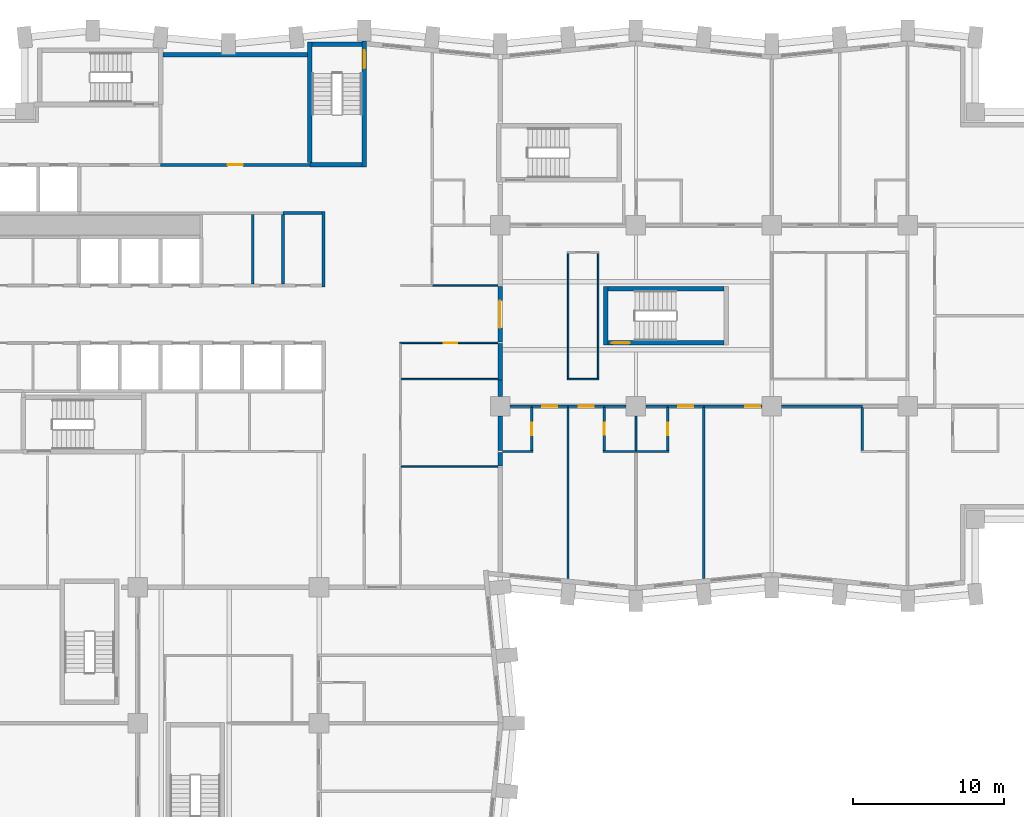
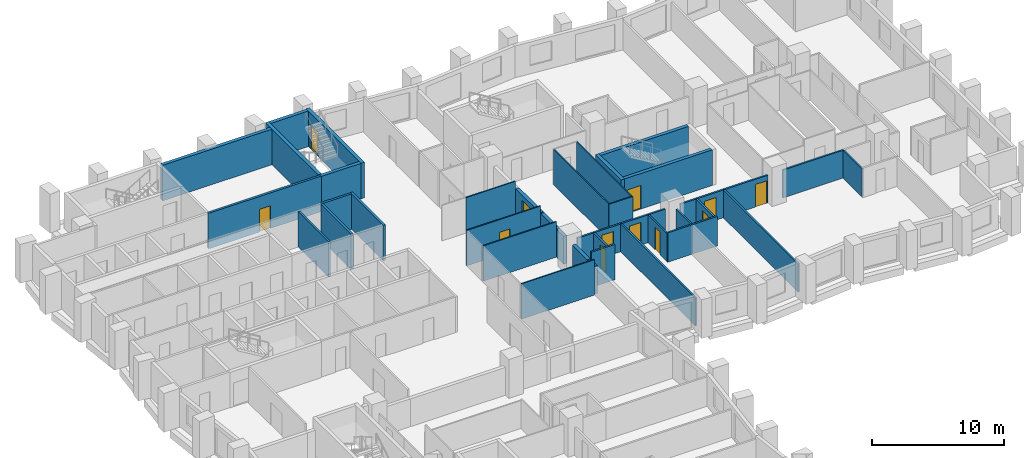
# One storey, part 7 of 12: 43 walls, 12 doors, 12 openings.
"""IFC4 building model written with IfcOpenShell, lengths in metres."""

from ifc_helpers import new_model, si_unit, direction, frame, frame_2d, origin, place, context, subcontext, project, spatial, rectangle, extrude, material, layer, layer_set, type_object, element, fill, save


model = new_model("IFC4")

# Units and contexts
model_context = context("Model", 3, precision=1e-05, world=origin(), true_north=direction((0.0, 1.0)))
body_context = subcontext(model_context, "Body", "Model", "MODEL_VIEW")
ifc_project = project(units=[si_unit("LENGTHUNIT", "METRE"), si_unit("AREAUNIT", "SQUARE_METRE"), si_unit("VOLUMEUNIT", "CUBIC_METRE"), si_unit("PLANEANGLEUNIT", "RADIAN"), si_unit("MASSUNIT", "GRAM", prefix="KILO")], contexts=[model_context])

# Site, building, storey
site_placement = place(None, origin())
site = spatial("IfcSite", under=ifc_project, at=site_placement, CompositionType="ELEMENT")
building_placement = place(site_placement, origin())
building = spatial("IfcBuilding", under=site, at=building_placement, Name="Brondeck Convention Tower", CompositionType="ELEMENT")
storey_placement = place(building_placement, frame((0.0, 0.0, 77.10009765625)))
storey = spatial("IfcBuildingStorey", under=building, at=storey_placement, Name="L17", CompositionType="ELEMENT", Elevation=77.10009765625)

# Walls
ifc_material_1 = material(Name="Concrete compartment wall C30/37", Category="concrete")
ifc_layer_1 = layer(ifc_material_1, 0.300048828125)
ifc_layer_set_1 = layer_set([ifc_layer_1], Name="Compartment wall 300")
wall_type_1 = type_object("IfcWallType", Name="Compartment wall 300", PredefinedType="PARTITIONING", material=ifc_layer_set_1)
wall_1_placement = place(storey_placement, frame((36.0, 35.925048828125, 0.0), z_axis=(0.0, 0.0, 1.0), x_axis=(0.0, -1.0, 0.0)))
element("IfcWall", 1, at=wall_1_placement, inside=storey, type_object=wall_type_1, Name="FLR-L17-W048", PredefinedType="PARTITIONING", context=body_context, shape_type="SweptSolid", body=[
    extrude(rectangle(XDim=0.875, YDim=0.300048828125, at=frame_2d((0.4375, 0.0))), origin(), (0.0, 0.0, 1.0), 2.579833984375),
])
wall_2_placement = place(storey_placement, frame((36.0, 38.344970703125, 0.0), z_axis=(0.0, 0.0, 1.0), x_axis=(0.0, -1.0, 0.0)))
element("IfcWall", 2, at=wall_2_placement, inside=storey, type_object=wall_type_1, Name="FLR-L17-W059", PredefinedType="PARTITIONING", context=body_context, shape_type="SweptSolid", body=[
    extrude(rectangle(XDim=2.27001953125, YDim=0.300048828125, at=frame_2d((1.135009765625, 0.0))), origin(), (0.0, 0.0, 1.0), 2.579833984375),
])
wall_3_placement = place(storey_placement, frame((36.0, 40.75, 0.0), z_axis=(0.0, 0.0, 1.0), x_axis=(0.0, -1.0, 0.0)))
element("IfcWall", 3, at=wall_3_placement, inside=storey, type_object=wall_type_1, Name="FLR-L17-W079", PredefinedType="PARTITIONING", context=body_context, shape_type="SweptSolid", body=[
    extrude(rectangle(XDim=1.094970703125, YDim=0.300048828125, at=frame_2d((0.54736328125, 0.0))), origin(), (0.0, 0.0, 1.0), 2.579833984375),
])
wall_4_placement = place(storey_placement, frame((36.0, 43.14990234375, 0.0), z_axis=(0.0, 0.0, 1.0), x_axis=(0.0, -1.0, 0.0)))
element("IfcWall", 4, at=wall_4_placement, inside=storey, type_object=wall_type_1, Name="FLR-L17-W087", PredefinedType="PARTITIONING", context=body_context, shape_type="SweptSolid", body=[
    extrude(rectangle(XDim=2.39501953125, YDim=0.300048828125, at=frame_2d((1.197509765625, 0.0))), origin(), (0.0, 0.0, 1.0), 2.579833984375),
])

# Wall, opening, door
wall_5_placement = place(storey_placement, frame((36.0, 46.949951171875, 0.0), z_axis=(0.0, 0.0, 1.0), x_axis=(0.0, -1.0, 0.0)))
wall_5 = element("IfcWall", 5, at=wall_5_placement, inside=storey, type_object=wall_type_1, Name="FLR-L17-W091", PredefinedType="PARTITIONING", context=body_context, shape_type="SweptSolid", body=[
    extrude(rectangle(XDim=3.699951171875, YDim=0.300048828125, at=frame_2d((1.85009765625, 0.0))), origin(), (0.0, 0.0, 1.0), 2.579833984375),
])
opening_1_placement = place(wall_5_placement, frame((0.949951171875, 0.0, 0.0)))
opening_1 = element("IfcOpeningElement", 6, at=opening_1_placement, cuts=wall_5, Name="Opening H5-042", PredefinedType="OPENING", context=body_context, shape_type="SweptSolid", body=[
    extrude(rectangle(XDim=1.800048828125, YDim=2.10009765625, at=frame_2d((0.89990234375, 1.050048828125))), frame((0.0, 0.159912109375, 0.0), z_axis=(0.0, -1.0, 0.0), x_axis=(1.0, 0.0, 0.0)), (0.0, 0.0, 1.0), 0.320068359375),
])
ifc_material_2 = material(Name="Steel fire door pair", Category="steel")
door_type_1 = type_object("IfcDoorType", Name="Fire door pair 1800", OperationType="DOUBLE_DOOR_SINGLE_SWING", PredefinedType="DOOR", material=ifc_material_2)
door_1_placement = place(opening_1_placement, origin())
door_1 = element("IfcDoor", 7, at=door_1_placement, inside=storey, type_object=door_type_1, Name="Door H5-042", OperationType="DOUBLE_DOOR_SINGLE_SWING", OverallHeight=2.10009765625, OverallWidth=1.800048828125, PredefinedType="DOOR", context=body_context, shape_type="SweptSolid", body=[
    extrude(rectangle(XDim=1.800048828125, YDim=2.10009765625, at=frame_2d((0.89990234375, 1.050048828125))), frame((0.0, 0.02490234375, 0.0), z_axis=(0.0, -1.0, 0.0), x_axis=(1.0, 0.0, 0.0)), (0.0, 0.0, 1.0), 0.050048828125),
])
fill(opening_1, door_1)

# Walls
ifc_material_3 = material(Name="Concrete C80/95", Category="concrete")
ifc_layer_2 = layer(ifc_material_3, 0.199951171875)
ifc_layer_set_2 = layer_set([ifc_layer_2], Name="Core beam-seat wall 200 Concrete C80/95")
wall_type_2 = type_object("IfcWallType", Name="Core beam-seat wall 200 Concrete C80/95", PredefinedType="SHEAR", material=ifc_layer_set_2)
wall_6_placement = place(storey_placement, frame((24.300048828125, 46.89990234375, 0.0), z_axis=(0.0, 0.0, 1.0), x_axis=(0.0, 1.0, 0.0)))
element("IfcWall", 8, at=wall_6_placement, inside=storey, type_object=wall_type_2, Name="L17 core wall", PredefinedType="SHEAR", context=body_context, shape_type="SweptSolid", body=[
    extrude(rectangle(XDim=5.0, YDim=0.199951171875, at=frame_2d((2.5, 0.0))), origin(), (0.0, 0.0, 1.0), 3.2998046875),
])
ifc_layer_3 = layer(ifc_material_3, 0.300048828125)
ifc_layer_set_3 = layer_set([ifc_layer_3], Name="Core outer wall 300 Concrete C80/95")
wall_type_3 = type_object("IfcWallType", Name="Core outer wall 300 Concrete C80/95", PredefinedType="SHEAR", material=ifc_layer_set_3)
wall_7_placement = place(storey_placement, frame((13.64990234375, 62.300048828125, 0.0), z_axis=(0.0, 0.0, 1.0), x_axis=(1.0, 0.0, 0.0)))
element("IfcWall", 9, at=wall_7_placement, inside=storey, type_object=wall_type_3, Name="L17 core wall", PredefinedType="SHEAR", context=body_context, shape_type="SweptSolid", body=[
    extrude(rectangle(XDim=9.60009765625, YDim=0.300048828125, at=frame_2d((4.800048828125, 0.0))), origin(), (0.0, 0.0, 1.0), 3.2998046875),
])
ifc_material_4 = material(Name="Fire-rated gypsum board partition")
ifc_layer_4 = layer(ifc_material_4, 0.14990234375)
ifc_layer_set_4 = layer_set([ifc_layer_4], Name="Core partition 150 EI 60")
wall_type_4 = type_object("IfcWallType", Name="Core partition 150 EI 60", PredefinedType="PARTITIONING", material=ifc_layer_set_4)
wall_8_placement = place(storey_placement, frame((19.60009765625, 47.10009765625, 0.0), z_axis=(0.0, 0.0, 1.0), x_axis=(0.0, 1.0, 0.0)))
element("IfcWall", 10, at=wall_8_placement, inside=storey, type_object=wall_type_4, Name="L17 core wall", PredefinedType="PARTITIONING", context=body_context, shape_type="SweptSolid", body=[
    extrude(rectangle(XDim=4.625, YDim=0.14990234375, at=frame_2d((2.3125, 0.0))), origin(), (0.0, 0.0, 1.0), 3.2998046875),
])
ifc_material_5 = material(Name="Double gypsum board acoustic wall")
ifc_layer_5 = layer(ifc_material_5, 0.14990234375)
ifc_layer_set_5 = layer_set([ifc_layer_5], Name="Guest room party wall 150")
wall_type_5 = type_object("IfcWallType", Name="Guest room party wall 150", PredefinedType="PARTITIONING", material=ifc_layer_set_5)
wall_9_placement = place(storey_placement, frame((36.14990234375, 36.0, 0.0), z_axis=(0.0, 0.0, 1.0), x_axis=(1.0, 0.0, 0.0)))
element("IfcWall", 11, at=wall_9_placement, inside=storey, type_object=wall_type_5, Name="FLR-L17-W051", PredefinedType="PARTITIONING", context=body_context, shape_type="SweptSolid", body=[
    extrude(rectangle(XDim=2.025146484375, YDim=0.14990234375, at=frame_2d((1.0126953125, 0.0))), origin(), (0.0, 0.0, 1.0), 3.27978515625),
])
for number, where, z_axis, x_axis, name in (
    (12, (42.824951171875, 36.0, 0.0), (0.0, 0.0, 1.0), (1.0, 0.0, 0.0), "FLR-L17-W052"),
    (13, (45.0, 36.0, 0.0), (0.0, 0.0, 1.0), (1.0, 0.0, 0.0), "FLR-L17-W053"),
):
    element("IfcWall", number, at=place(storey_placement, frame(where, z_axis=z_axis, x_axis=x_axis)), inside=storey, type_object=wall_type_5, Name=name, PredefinedType="PARTITIONING", context=body_context, shape_type="SweptSolid", body=[
        extrude(rectangle(XDim=2.175048828125, YDim=0.14990234375, at=frame_2d((1.08740234375, 0.0))), origin(), (0.0, 0.0, 1.0), 2.72998046875),
    ])

# Wall, opening, door
wall_10_placement = place(storey_placement, frame((38.10009765625, 36.074951171875, 0.0), z_axis=(0.0, 0.0, 1.0), x_axis=(0.0, 1.0, 0.0)))
wall_10 = element("IfcWall", 14, at=wall_10_placement, inside=storey, type_object=wall_type_5, Name="FLR-L17-W056", PredefinedType="PARTITIONING", context=body_context, shape_type="SweptSolid", body=[
    extrude(rectangle(XDim=2.85009765625, YDim=0.14990234375, at=frame_2d((1.425048828125, 0.0))), origin(), (0.0, 0.0, 1.0), 2.579833984375),
])
opening_2_placement = place(wall_10_placement, frame((1.02490234375, 0.0, 0.0)))
opening_2 = element("IfcOpeningElement", 15, at=opening_2_placement, cuts=wall_10, Name="Opening H5-008", PredefinedType="OPENING", context=body_context, shape_type="SweptSolid", body=[
    extrude(rectangle(XDim=0.800048828125, YDim=2.10009765625, at=frame_2d((0.39990234375, 1.050048828125))), frame((0.0, 0.0849609375, 0.0), z_axis=(0.0, -1.0, 0.0), x_axis=(1.0, 0.0, 0.0)), (0.0, 0.0, 1.0), 0.169921875),
])
ifc_material_6 = material(Name="Solid timber door leaf", Category="wood")
door_type_2 = type_object("IfcDoorType", Name="En-suite door 800", OperationType="NOTDEFINED", PredefinedType="DOOR", material=ifc_material_6)
door_2_placement = place(opening_2_placement, origin())
door_2 = element("IfcDoor", 16, at=door_2_placement, inside=storey, type_object=door_type_2, Name="Door H5-008", OperationType="SINGLE_SWING_LEFT", OverallHeight=2.10009765625, OverallWidth=0.800048828125, PredefinedType="DOOR", context=body_context, shape_type="SweptSolid", body=[
    extrude(rectangle(XDim=0.800048828125, YDim=2.10009765625, at=frame_2d((0.39990234375, 1.050048828125))), frame((0.0, 0.02490234375, 0.0), z_axis=(0.0, -1.0, 0.0), x_axis=(1.0, 0.0, 0.0)), (0.0, 0.0, 1.0), 0.050048828125),
])
fill(opening_2, door_2)

wall_11_placement = place(storey_placement, frame((47.10009765625, 36.074951171875, 0.0), z_axis=(0.0, 0.0, 1.0), x_axis=(0.0, 1.0, 0.0)))
wall_11 = element("IfcWall", 17, at=wall_11_placement, inside=storey, type_object=wall_type_5, Name="FLR-L17-W057", PredefinedType="PARTITIONING", context=body_context, shape_type="SweptSolid", body=[
    extrude(rectangle(XDim=2.85009765625, YDim=0.14990234375, at=frame_2d((1.425048828125, 0.0))), origin(), (0.0, 0.0, 1.0), 2.579833984375),
])
opening_3_placement = place(wall_11_placement, frame((1.02490234375, 0.0, 0.0)))
opening_3 = element("IfcOpeningElement", 18, at=opening_3_placement, cuts=wall_11, Name="Opening H5-012", PredefinedType="OPENING", context=body_context, shape_type="SweptSolid", body=[
    extrude(rectangle(XDim=0.800048828125, YDim=2.10009765625, at=frame_2d((0.39990234375, 1.050048828125))), frame((0.0, 0.0849609375, 0.0), z_axis=(0.0, -1.0, 0.0), x_axis=(1.0, 0.0, 0.0)), (0.0, 0.0, 1.0), 0.169921875),
])
door_3_placement = place(opening_3_placement, origin())
door_3 = element("IfcDoor", 19, at=door_3_placement, inside=storey, type_object=door_type_2, Name="Door H5-012", OperationType="SINGLE_SWING_LEFT", OverallHeight=2.10009765625, OverallWidth=0.800048828125, PredefinedType="DOOR", context=body_context, shape_type="SweptSolid", body=[
    extrude(rectangle(XDim=0.800048828125, YDim=2.10009765625, at=frame_2d((0.39990234375, 1.050048828125))), frame((0.0, 0.02490234375, 0.0), z_axis=(0.0, -1.0, 0.0), x_axis=(1.0, 0.0, 0.0)), (0.0, 0.0, 1.0), 0.050048828125),
])
fill(opening_3, door_3)

# Walls
wall_12_placement = place(storey_placement, frame((45.0, 38.344970703125, 0.0), z_axis=(0.0, 0.0, 1.0), x_axis=(0.0, -1.0, 0.0)))
element("IfcWall", 20, at=wall_12_placement, inside=storey, type_object=wall_type_5, Name="FLR-L17-W060", PredefinedType="PARTITIONING", context=body_context, shape_type="SweptSolid", body=[
    extrude(rectangle(XDim=2.27001953125, YDim=0.14990234375, at=frame_2d((1.135009765625, 0.0))), origin(), (0.0, 0.0, 1.0), 2.72998046875),
])
wall_13_placement = place(storey_placement, frame((40.5, 38.925048828125, 0.0), z_axis=(0.0, 0.0, 1.0), x_axis=(0.0, -1.0, 0.0)))
element("IfcWall", 21, at=wall_13_placement, inside=storey, type_object=wall_type_5, Name="FLR-L17-W062", PredefinedType="PARTITIONING", context=body_context, shape_type="SweptSolid", body=[
    extrude(rectangle(XDim=11.35009765625, YDim=0.14990234375, at=frame_2d((5.675048828125, 0.0))), origin(), (0.0, 0.0, 1.0), 2.579833984375),
])

# Wall, opening, door
wall_14_placement = place(storey_placement, frame((42.89990234375, 38.925048828125, 0.0), z_axis=(0.0, 0.0, 1.0), x_axis=(0.0, -1.0, 0.0)))
wall_14 = element("IfcWall", 22, at=wall_14_placement, inside=storey, type_object=wall_type_5, Name="FLR-L17-W063", PredefinedType="PARTITIONING", context=body_context, shape_type="SweptSolid", body=[
    extrude(rectangle(XDim=2.85009765625, YDim=0.14990234375, at=frame_2d((1.425048828125, 0.0))), origin(), (0.0, 0.0, 1.0), 2.579833984375),
])
opening_4_placement = place(wall_14_placement, frame((1.02490234375, 0.0, 0.0)))
opening_4 = element("IfcOpeningElement", 23, at=opening_4_placement, cuts=wall_14, Name="Opening H5-010", PredefinedType="OPENING", context=body_context, shape_type="SweptSolid", body=[
    extrude(rectangle(XDim=0.800048828125, YDim=2.10009765625, at=frame_2d((0.39990234375, 1.050048828125))), frame((0.0, 0.0849609375, 0.0), z_axis=(0.0, -1.0, 0.0), x_axis=(1.0, 0.0, 0.0)), (0.0, 0.0, 1.0), 0.169921875),
])
door_4_placement = place(opening_4_placement, origin())
door_4 = element("IfcDoor", 24, at=door_4_placement, inside=storey, type_object=door_type_2, Name="Door H5-010", OperationType="SINGLE_SWING_LEFT", OverallHeight=2.10009765625, OverallWidth=0.800048828125, PredefinedType="DOOR", context=body_context, shape_type="SweptSolid", body=[
    extrude(rectangle(XDim=0.800048828125, YDim=2.10009765625, at=frame_2d((0.39990234375, 1.050048828125))), frame((0.0, 0.02490234375, 0.0), z_axis=(0.0, -1.0, 0.0), x_axis=(1.0, 0.0, 0.0)), (0.0, 0.0, 1.0), 0.050048828125),
])
fill(opening_4, door_4)

# Walls
wall_15_placement = place(storey_placement, frame((49.5, 38.925048828125, 0.0), z_axis=(0.0, 0.0, 1.0), x_axis=(0.0, -1.0, 0.0)))
element("IfcWall", 25, at=wall_15_placement, inside=storey, type_object=wall_type_5, Name="FLR-L17-W064", PredefinedType="PARTITIONING", context=body_context, shape_type="SweptSolid", body=[
    extrude(rectangle(XDim=11.35009765625, YDim=0.14990234375, at=frame_2d((5.675048828125, 0.0))), origin(), (0.0, 0.0, 1.0), 2.579833984375),
])
wall_16_placement = place(storey_placement, frame((60.0, 38.925048828125, 0.0), z_axis=(0.0, 0.0, 1.0), x_axis=(0.0, -1.0, 0.0)))
element("IfcWall", 26, at=wall_16_placement, inside=storey, type_object=wall_type_5, Name="FLR-L17-W065", PredefinedType="PARTITIONING", context=body_context, shape_type="SweptSolid", body=[
    extrude(rectangle(XDim=2.85009765625, YDim=0.14990234375, at=frame_2d((1.425048828125, 0.0))), origin(), (0.0, 0.0, 1.0), 2.579833984375),
])
wall_17_placement = place(storey_placement, frame((38.10009765625, 39.0, 0.0), z_axis=(0.0, 0.0, 1.0), x_axis=(-1.0, 0.0, 0.0)))
element("IfcWall", 27, at=wall_17_placement, inside=storey, type_object=wall_type_5, Name="FLR-L17-W067", PredefinedType="PARTITIONING", context=body_context, shape_type="SweptSolid", body=[
    extrude(rectangle(XDim=1.445068359375, YDim=0.14990234375, at=frame_2d((0.72265625, 0.0))), origin(), (0.0, 0.0, 1.0), 2.579833984375),
])

# Wall, opening, door
wall_18_placement = place(storey_placement, frame((40.5, 39.0, 0.0), z_axis=(0.0, 0.0, 1.0), x_axis=(-1.0, 0.0, 0.0)))
wall_18 = element("IfcWall", 28, at=wall_18_placement, inside=storey, type_object=wall_type_5, Name="FLR-L17-W068", PredefinedType="PARTITIONING", context=body_context, shape_type="SweptSolid", body=[
    extrude(rectangle(XDim=2.39990234375, YDim=0.14990234375, at=frame_2d((1.199951171875, 0.0))), origin(), (0.0, 0.0, 1.0), 2.579833984375),
])
opening_5_placement = place(wall_18_placement, frame((0.699951171875, 0.0, 0.0)))
opening_5 = element("IfcOpeningElement", 29, at=opening_5_placement, cuts=wall_18, Name="Opening H5-007", PredefinedType="OPENING", context=body_context, shape_type="SweptSolid", body=[
    extrude(rectangle(XDim=1.0, YDim=2.10009765625, at=frame_2d((0.5, 1.050048828125))), frame((0.0, 0.0849609375, 0.0), z_axis=(0.0, -1.0, 0.0), x_axis=(1.0, 0.0, 0.0)), (0.0, 0.0, 1.0), 0.169921875),
])
ifc_material_7 = material(Name="Solid timber fire door leaf", Category="wood")
door_type_3 = type_object("IfcDoorType", Name="Guest room door 1000", OperationType="NOTDEFINED", PredefinedType="DOOR", material=ifc_material_7)
door_5_placement = place(opening_5_placement, origin())
door_5 = element("IfcDoor", 30, at=door_5_placement, inside=storey, type_object=door_type_3, Name="Door H5-007", OperationType="SINGLE_SWING_LEFT", OverallHeight=2.10009765625, OverallWidth=1.0, PredefinedType="DOOR", context=body_context, shape_type="SweptSolid", body=[
    extrude(rectangle(XDim=1.0, YDim=2.10009765625, at=frame_2d((0.5, 1.050048828125))), frame((0.0, 0.02490234375, 0.0), z_axis=(0.0, -1.0, 0.0), x_axis=(1.0, 0.0, 0.0)), (0.0, 0.0, 1.0), 0.050048828125),
])
fill(opening_5, door_5)

wall_19_placement = place(storey_placement, frame((42.89990234375, 39.0, 0.0), z_axis=(0.0, 0.0, 1.0), x_axis=(-1.0, 0.0, 0.0)))
wall_19 = element("IfcWall", 31, at=wall_19_placement, inside=storey, type_object=wall_type_5, Name="FLR-L17-W069", PredefinedType="PARTITIONING", context=body_context, shape_type="SweptSolid", body=[
    extrude(rectangle(XDim=2.39990234375, YDim=0.14990234375, at=frame_2d((1.199951171875, 0.0))), origin(), (0.0, 0.0, 1.0), 2.579833984375),
])
opening_6_placement = place(wall_19_placement, frame((0.699951171875, 0.0, 0.0)))
opening_6 = element("IfcOpeningElement", 32, at=opening_6_placement, cuts=wall_19, Name="Opening H5-009", PredefinedType="OPENING", context=body_context, shape_type="SweptSolid", body=[
    extrude(rectangle(XDim=1.0, YDim=2.10009765625, at=frame_2d((0.5, 1.050048828125))), frame((0.0, 0.0849609375, 0.0), z_axis=(0.0, -1.0, 0.0), x_axis=(1.0, 0.0, 0.0)), (0.0, 0.0, 1.0), 0.169921875),
])
door_6_placement = place(opening_6_placement, origin())
door_6 = element("IfcDoor", 33, at=door_6_placement, inside=storey, type_object=door_type_3, Name="Door H5-009", OperationType="SINGLE_SWING_LEFT", OverallHeight=2.10009765625, OverallWidth=1.0, PredefinedType="DOOR", context=body_context, shape_type="SweptSolid", body=[
    extrude(rectangle(XDim=1.0, YDim=2.10009765625, at=frame_2d((0.5, 1.050048828125))), frame((0.0, 0.02490234375, 0.0), z_axis=(0.0, -1.0, 0.0), x_axis=(1.0, 0.0, 0.0)), (0.0, 0.0, 1.0), 0.050048828125),
])
fill(opening_6, door_6)

# Walls
for number, where, z_axis, x_axis, name in (
    (34, (44.344970703125, 39.0, 0.0), (0.0, 0.0, 1.0), (-1.0, 0.0, 0.0), "FLR-L17-W070"),
    (35, (47.10009765625, 39.0, 0.0), (0.0, 0.0, 1.0), (-1.0, 0.0, 0.0), "FLR-L17-W071"),
):
    element("IfcWall", number, at=place(storey_placement, frame(where, z_axis=z_axis, x_axis=x_axis)), inside=storey, type_object=wall_type_5, Name=name, PredefinedType="PARTITIONING", context=body_context, shape_type="SweptSolid", body=[
        extrude(rectangle(XDim=1.445068359375, YDim=0.14990234375, at=frame_2d((0.72265625, 0.0))), origin(), (0.0, 0.0, 1.0), 2.579833984375),
    ])

# Wall, opening, door
wall_20_placement = place(storey_placement, frame((49.5, 39.0, 0.0), z_axis=(0.0, 0.0, 1.0), x_axis=(-1.0, 0.0, 0.0)))
wall_20 = element("IfcWall", 36, at=wall_20_placement, inside=storey, type_object=wall_type_5, Name="FLR-L17-W072", PredefinedType="PARTITIONING", context=body_context, shape_type="SweptSolid", body=[
    extrude(rectangle(XDim=2.39990234375, YDim=0.14990234375, at=frame_2d((1.199951171875, 0.0))), origin(), (0.0, 0.0, 1.0), 2.579833984375),
])
opening_7_placement = place(wall_20_placement, frame((0.699951171875, 0.0, 0.0)))
opening_7 = element("IfcOpeningElement", 37, at=opening_7_placement, cuts=wall_20, Name="Opening H5-011", PredefinedType="OPENING", context=body_context, shape_type="SweptSolid", body=[
    extrude(rectangle(XDim=1.0, YDim=2.10009765625, at=frame_2d((0.5, 1.050048828125))), frame((0.0, 0.0849609375, 0.0), z_axis=(0.0, -1.0, 0.0), x_axis=(1.0, 0.0, 0.0)), (0.0, 0.0, 1.0), 0.169921875),
])
door_7_placement = place(opening_7_placement, origin())
door_7 = element("IfcDoor", 38, at=door_7_placement, inside=storey, type_object=door_type_3, Name="Door H5-011", OperationType="SINGLE_SWING_LEFT", OverallHeight=2.10009765625, OverallWidth=1.0, PredefinedType="DOOR", context=body_context, shape_type="SweptSolid", body=[
    extrude(rectangle(XDim=1.0, YDim=2.10009765625, at=frame_2d((0.5, 1.050048828125))), frame((0.0, 0.02490234375, 0.0), z_axis=(0.0, -1.0, 0.0), x_axis=(1.0, 0.0, 0.0)), (0.0, 0.0, 1.0), 0.050048828125),
])
fill(opening_7, door_7)

wall_21_placement = place(storey_placement, frame((53.344970703125, 39.0, 0.0), z_axis=(0.0, 0.0, 1.0), x_axis=(-1.0, 0.0, 0.0)))
wall_21 = element("IfcWall", 39, at=wall_21_placement, inside=storey, type_object=wall_type_5, Name="FLR-L17-W073", PredefinedType="PARTITIONING", context=body_context, shape_type="SweptSolid", body=[
    extrude(rectangle(XDim=3.844970703125, YDim=0.14990234375, at=frame_2d((1.92236328125, 0.0))), origin(), (0.0, 0.0, 1.0), 2.579833984375),
])
opening_8_placement = place(wall_21_placement, frame((0.10009765625, 0.0, 0.0)))
opening_8 = element("IfcOpeningElement", 40, at=opening_8_placement, cuts=wall_21, Name="Opening H5-013", PredefinedType="OPENING", context=body_context, shape_type="SweptSolid", body=[
    extrude(rectangle(XDim=1.0, YDim=2.10009765625, at=frame_2d((0.5, 1.050048828125))), frame((0.0, 0.0849609375, 0.0), z_axis=(0.0, -1.0, 0.0), x_axis=(1.0, 0.0, 0.0)), (0.0, 0.0, 1.0), 0.169921875),
])
door_8_placement = place(opening_8_placement, origin())
door_8 = element("IfcDoor", 41, at=door_8_placement, inside=storey, type_object=door_type_3, Name="Door H5-013", OperationType="SINGLE_SWING_RIGHT", OverallHeight=2.10009765625, OverallWidth=1.0, PredefinedType="DOOR", context=body_context, shape_type="SweptSolid", body=[
    extrude(rectangle(XDim=1.0, YDim=2.10009765625, at=frame_2d((0.5, 1.050048828125))), frame((0.0, 0.02490234375, 0.0), z_axis=(0.0, -1.0, 0.0), x_axis=(1.0, 0.0, 0.0)), (0.0, 0.0, 1.0), 0.050048828125),
])
fill(opening_8, door_8)

# Walls
wall_22_placement = place(storey_placement, frame((60.0, 39.0, 0.0), z_axis=(0.0, 0.0, 1.0), x_axis=(-1.0, 0.0, 0.0)))
element("IfcWall", 42, at=wall_22_placement, inside=storey, type_object=wall_type_5, Name="FLR-L17-W074", PredefinedType="PARTITIONING", context=body_context, shape_type="SweptSolid", body=[
    extrude(rectangle(XDim=5.344970703125, YDim=0.14990234375, at=frame_2d((2.67236328125, 0.0))), origin(), (0.0, 0.0, 1.0), 2.579833984375),
])
ifc_layer_6 = layer(ifc_material_4, 0.199951171875)
ifc_layer_set_6 = layer_set([ifc_layer_6], Name="Riser wall 200 EI 120")
wall_type_6 = type_object("IfcWallType", Name="Riser wall 200 EI 120", PredefinedType="PARTITIONING", material=ifc_layer_set_6)
wall_23_placement = place(storey_placement, frame((21.60009765625, 51.800048828125, 0.0), z_axis=(0.0, 0.0, 1.0), x_axis=(1.0, 0.0, 0.0)))
element("IfcWall", 43, at=wall_23_placement, inside=storey, type_object=wall_type_6, Name="L17 core wall", PredefinedType="PARTITIONING", context=body_context, shape_type="SweptSolid", body=[
    extrude(rectangle(XDim=2.599853515625, YDim=0.199951171875, at=frame_2d((1.2998046875, 0.0))), origin(), (0.0, 0.0, 1.0), 3.2998046875),
])

# Wall, opening, door
wall_24_placement = place(storey_placement, frame((13.5, 55.0, 0.0), z_axis=(0.0, 0.0, 1.0), x_axis=(1.0, 0.0, 0.0)))
wall_24 = element("IfcWall", 44, at=wall_24_placement, inside=storey, type_object=wall_type_6, Name="L17 core wall", PredefinedType="PARTITIONING", context=body_context, shape_type="SweptSolid", body=[
    extrude(rectangle(XDim=9.89990234375, YDim=0.199951171875, at=frame_2d((4.949951171875, 0.0))), origin(), (0.0, 0.0, 1.0), 3.2998046875),
])
opening_9_placement = place(wall_24_placement, frame((4.449951171875, 0.0, 0.0)))
opening_9 = element("IfcOpeningElement", 45, at=opening_9_placement, cuts=wall_24, Name="Opening C12-13", PredefinedType="OPENING", context=body_context, shape_type="SweptSolid", body=[
    extrude(rectangle(XDim=1.0, YDim=2.10009765625, at=frame_2d((0.5, 1.050048828125))), frame((0.0, 0.10986328125, 0.0), z_axis=(0.0, -1.0, 0.0), x_axis=(1.0, 0.0, 0.0)), (0.0, 0.0, 1.0), 0.219970703125),
])
ifc_material_8 = material(Name="Steel fire door", Category="steel")
door_type_4 = type_object("IfcDoorType", Name="Riser door 1000x2100 EI 120", OperationType="NOTDEFINED", PredefinedType="DOOR", material=ifc_material_8)
door_9_placement = place(opening_9_placement, origin())
door_9 = element("IfcDoor", 46, at=door_9_placement, inside=storey, type_object=door_type_4, Name="L17 Riser door NE-1", OperationType="SINGLE_SWING_LEFT", OverallHeight=2.10009765625, OverallWidth=1.0, PredefinedType="DOOR", context=body_context, shape_type="SweptSolid", body=[
    extrude(rectangle(XDim=1.0, YDim=2.10009765625, at=frame_2d((0.5, 1.050048828125))), frame((0.0, 0.02490234375, 0.0), z_axis=(0.0, -1.0, 0.0), x_axis=(1.0, 0.0, 0.0)), (0.0, 0.0, 1.0), 0.050048828125),
])
fill(opening_9, door_9)

# Walls
wall_25_placement = place(storey_placement, frame((21.60009765625, 47.10009765625, 0.0), z_axis=(0.0, 0.0, 1.0), x_axis=(0.0, 1.0, 0.0)))
element("IfcWall", 47, at=wall_25_placement, inside=storey, type_object=wall_type_6, Name="L17 core wall", PredefinedType="PARTITIONING", context=body_context, shape_type="SweptSolid", body=[
    extrude(rectangle(XDim=4.599853515625, YDim=0.199951171875, at=frame_2d((2.2998046875, 0.0))), origin(), (0.0, 0.0, 1.0), 3.2998046875),
])
ifc_material_9 = material(Name="Gypsum board partition on steel studs", Category="steel")
ifc_layer_7 = layer(ifc_material_9, 0.10009765625)
ifc_layer_set_7 = layer_set([ifc_layer_7], Name="Room partition 100")
wall_type_7 = type_object("IfcWallType", Name="Room partition 100", PredefinedType="PARTITIONING", material=ifc_layer_set_7)
for number, where, z_axis, x_axis, name in (
    (48, (35.85009765625, 35.0, 0.0), (0.0, 0.0, 1.0), (-1.0, 0.0, 0.0), "FLR-L17-W045"),
    (49, (35.85009765625, 40.800048828125, 0.0), (0.0, 0.0, 1.0), (-1.0, 0.0, 0.0), "FLR-L17-W080"),
):
    element("IfcWall", number, at=place(storey_placement, frame(where, z_axis=z_axis, x_axis=x_axis)), inside=storey, type_object=wall_type_7, Name=name, PredefinedType="PARTITIONING", context=body_context, shape_type="SweptSolid", body=[
        extrude(rectangle(XDim=6.400146484375, YDim=0.10009765625, at=frame_2d((3.2001953125, 0.0))), origin(), (0.0, 0.0, 1.0), 3.27978515625),
    ])
wall_26_placement = place(storey_placement, frame((40.449951171875, 40.800048828125, 0.0), z_axis=(0.0, 0.0, 1.0), x_axis=(1.0, 0.0, 0.0)))
element("IfcWall", 50, at=wall_26_placement, inside=storey, type_object=wall_type_7, Name="FLR-L17-W081", PredefinedType="PARTITIONING", context=body_context, shape_type="SweptSolid", body=[
    extrude(rectangle(XDim=2.10009765625, YDim=0.10009765625, at=frame_2d((1.050048828125, 0.0))), origin(), (0.0, 0.0, 1.0), 3.27978515625),
])

# Wall, opening, door
wall_27_placement = place(storey_placement, frame((35.85009765625, 43.199951171875, 0.0), z_axis=(0.0, 0.0, 1.0), x_axis=(-1.0, 0.0, 0.0)))
wall_27 = element("IfcWall", 51, at=wall_27_placement, inside=storey, type_object=wall_type_7, Name="FLR-L17-W088", PredefinedType="PARTITIONING", context=body_context, shape_type="SweptSolid", body=[
    extrude(rectangle(XDim=6.5, YDim=0.10009765625, at=frame_2d((3.25, 0.0))), origin(), (0.0, 0.0, 1.0), 3.27978515625),
])
opening_10_placement = place(wall_27_placement, frame((2.699951171875, 0.0, 0.0)))
opening_10 = element("IfcOpeningElement", 52, at=opening_10_placement, cuts=wall_27, Name="Opening H5-036", PredefinedType="OPENING", context=body_context, shape_type="SweptSolid", body=[
    extrude(rectangle(XDim=0.89990234375, YDim=2.10009765625, at=frame_2d((0.449951171875, 1.050048828125))), frame((0.0, 0.06005859375, 0.0), z_axis=(0.0, -1.0, 0.0), x_axis=(1.0, 0.0, 0.0)), (0.0, 0.0, 1.0), 0.1201171875),
])
door_type_5 = type_object("IfcDoorType", Name="Single door 900", OperationType="NOTDEFINED", PredefinedType="DOOR", material=ifc_material_6)
door_10_placement = place(opening_10_placement, origin())
door_10 = element("IfcDoor", 53, at=door_10_placement, inside=storey, type_object=door_type_5, Name="Door H5-036", OperationType="SINGLE_SWING_LEFT", OverallHeight=2.10009765625, OverallWidth=0.89990234375, PredefinedType="DOOR", context=body_context, shape_type="SweptSolid", body=[
    extrude(rectangle(XDim=0.89990234375, YDim=2.10009765625, at=frame_2d((0.449951171875, 1.050048828125))), frame((0.0, 0.02490234375, 0.0), z_axis=(0.0, -1.0, 0.0), x_axis=(1.0, 0.0, 0.0)), (0.0, 0.0, 1.0), 0.050048828125),
])
fill(opening_10, door_10)

# Walls
wall_28_placement = place(storey_placement, frame((31.5, 47.0, 0.0), z_axis=(0.0, 0.0, 1.0), x_axis=(1.0, 0.0, 0.0)))
element("IfcWall", 54, at=wall_28_placement, inside=storey, type_object=wall_type_7, Name="FLR-L17-W093", PredefinedType="PARTITIONING", context=body_context, shape_type="SweptSolid", body=[
    extrude(rectangle(XDim=4.35009765625, YDim=0.10009765625, at=frame_2d((2.175048828125, 0.0))), origin(), (0.0, 0.0, 1.0), 3.27978515625),
])
for number, where, z_axis, x_axis, name in (
    (55, (40.5, 49.14990234375, 0.0), (0.0, 0.0, 1.0), (0.0, -1.0, 0.0), "FLR-L17-W095"),
    (56, (42.5, 49.14990234375, 0.0), (0.0, 0.0, 1.0), (0.0, -1.0, 0.0), "FLR-L17-W096"),
):
    element("IfcWall", number, at=place(storey_placement, frame(where, z_axis=z_axis, x_axis=x_axis)), inside=storey, type_object=wall_type_7, Name=name, PredefinedType="PARTITIONING", context=body_context, shape_type="SweptSolid", body=[
        extrude(rectangle(XDim=8.2998046875, YDim=0.10009765625, at=frame_2d((4.14990234375, 0.0))), origin(), (0.0, 0.0, 1.0), 3.27978515625),
    ])

# Wall, opening, door
ifc_layer_8 = layer(ifc_material_3, 0.300048828125)
ifc_layer_set_8 = layer_set([ifc_layer_8], Name="Stair enclosure wall 300 Concrete C80/95")
wall_type_8 = type_object("IfcWallType", Name="Stair enclosure wall 300 Concrete C80/95", PredefinedType="SHEAR", material=ifc_layer_set_8)
wall_29_placement = place(storey_placement, frame((43.14990234375, 43.199951171875, 0.0), z_axis=(0.0, 0.0, 1.0), x_axis=(1.0, 0.0, 0.0)))
wall_29 = element("IfcWall", 57, at=wall_29_placement, inside=storey, type_object=wall_type_8, Name="L17 core wall", PredefinedType="SHEAR", context=body_context, shape_type="SweptSolid", body=[
    extrude(rectangle(XDim=7.7001953125, YDim=0.300048828125, at=frame_2d((3.85009765625, 0.0))), origin(), (0.0, 0.0, 1.0), 3.2998046875),
])
opening_11_placement = place(wall_29_placement, frame((0.25, 0.0, 0.0)))
opening_11 = element("IfcOpeningElement", 58, at=opening_11_placement, cuts=wall_29, Name="Opening C12-18", PredefinedType="OPENING", context=body_context, shape_type="SweptSolid", body=[
    extrude(rectangle(XDim=1.199951171875, YDim=2.199951171875, at=frame_2d((0.60009765625, 1.10009765625))), frame((0.0, 0.159912109375, 0.0), z_axis=(0.0, -1.0, 0.0), x_axis=(1.0, 0.0, 0.0)), (0.0, 0.0, 1.0), 0.320068359375),
])
door_type_6 = type_object("IfcDoorType", Name="Stair door 1200x2200 EI 90", OperationType="NOTDEFINED", PredefinedType="DOOR", material=ifc_material_8)
door_11_placement = place(opening_11_placement, origin())
door_11 = element("IfcDoor", 59, at=door_11_placement, inside=storey, type_object=door_type_6, Name="L17 Stair door ST-AF", OperationType="SINGLE_SWING_RIGHT", OverallHeight=2.199951171875, OverallWidth=1.199951171875, PredefinedType="DOOR", context=body_context, shape_type="SweptSolid", body=[
    extrude(rectangle(XDim=1.199951171875, YDim=2.199951171875, at=frame_2d((0.60009765625, 1.10009765625))), frame((0.0, 0.02490234375, 0.0), z_axis=(0.0, -1.0, 0.0), x_axis=(1.0, 0.0, 0.0)), (0.0, 0.0, 1.0), 0.050048828125),
])
fill(opening_11, door_11)

# Walls
wall_30_placement = place(storey_placement, frame((43.14990234375, 46.800048828125, 0.0), z_axis=(0.0, 0.0, 1.0), x_axis=(1.0, 0.0, 0.0)))
element("IfcWall", 60, at=wall_30_placement, inside=storey, type_object=wall_type_8, Name="L17 core wall", PredefinedType="SHEAR", context=body_context, shape_type="SweptSolid", body=[
    extrude(rectangle(XDim=7.7001953125, YDim=0.300048828125, at=frame_2d((3.85009765625, 0.0))), origin(), (0.0, 0.0, 1.0), 3.2998046875),
])
wall_31_placement = place(storey_placement, frame((23.39990234375, 55.0, 0.0), z_axis=(0.0, 0.0, 1.0), x_axis=(1.0, 0.0, 0.0)))
element("IfcWall", 61, at=wall_31_placement, inside=storey, type_object=wall_type_8, Name="L17 core wall", PredefinedType="SHEAR", context=body_context, shape_type="SweptSolid", body=[
    extrude(rectangle(XDim=3.4501953125, YDim=0.300048828125, at=frame_2d((1.72509765625, 0.0))), origin(), (0.0, 0.0, 1.0), 3.2998046875),
])
wall_32_placement = place(storey_placement, frame((23.550048828125, 63.0, 0.0), z_axis=(0.0, 0.0, 1.0), x_axis=(1.0, 0.0, 0.0)))
element("IfcWall", 62, at=wall_32_placement, inside=storey, type_object=wall_type_8, Name="L17 core wall", PredefinedType="SHEAR", context=body_context, shape_type="SweptSolid", body=[
    extrude(rectangle(XDim=3.300048828125, YDim=0.300048828125, at=frame_2d((1.64990234375, 0.0))), origin(), (0.0, 0.0, 1.0), 3.2998046875),
])
wall_33_placement = place(storey_placement, frame((23.39990234375, 55.14990234375, 0.0), z_axis=(0.0, 0.0, 1.0), x_axis=(0.0, 1.0, 0.0)))
element("IfcWall", 63, at=wall_33_placement, inside=storey, type_object=wall_type_8, Name="L17 core wall", PredefinedType="SHEAR", context=body_context, shape_type="SweptSolid", body=[
    extrude(rectangle(XDim=8.0, YDim=0.300048828125, at=frame_2d((4.0, 0.0))), origin(), (0.0, 0.0, 1.0), 3.2998046875),
])

# Wall, opening, door
wall_34_placement = place(storey_placement, frame((27.0, 54.85009765625, 0.0), z_axis=(0.0, 0.0, 1.0), x_axis=(0.0, 1.0, 0.0)))
wall_34 = element("IfcWall", 64, at=wall_34_placement, inside=storey, type_object=wall_type_8, Name="L17 core wall", PredefinedType="SHEAR", context=body_context, shape_type="SweptSolid", body=[
    extrude(rectangle(XDim=8.349853515625, YDim=0.300048828125, at=frame_2d((4.1748046875, 0.0))), origin(), (0.0, 0.0, 1.0), 3.2998046875),
])
opening_12_placement = place(wall_34_placement, frame((6.550048828125, 0.0, 0.0)))
opening_12 = element("IfcOpeningElement", 65, at=opening_12_placement, cuts=wall_34, Name="Opening C12-15", PredefinedType="OPENING", context=body_context, shape_type="SweptSolid", body=[
    extrude(rectangle(XDim=1.199951171875, YDim=2.199951171875, at=frame_2d((0.60009765625, 1.10009765625))), frame((0.0, 0.159912109375, 0.0), z_axis=(0.0, -1.0, 0.0), x_axis=(1.0, 0.0, 0.0)), (0.0, 0.0, 1.0), 0.320068359375),
])
door_12_placement = place(opening_12_placement, origin())
door_12 = element("IfcDoor", 66, at=door_12_placement, inside=storey, type_object=door_type_6, Name="L17 Stair door ST-2", OperationType="SINGLE_SWING_LEFT", OverallHeight=2.199951171875, OverallWidth=1.199951171875, PredefinedType="DOOR", context=body_context, shape_type="SweptSolid", body=[
    extrude(rectangle(XDim=1.199951171875, YDim=2.199951171875, at=frame_2d((0.60009765625, 1.10009765625))), frame((0.0, 0.02490234375, 0.0), z_axis=(0.0, -1.0, 0.0), x_axis=(1.0, 0.0, 0.0)), (0.0, 0.0, 1.0), 0.050048828125),
])
fill(opening_12, door_12)

# Wall
wall_35_placement = place(storey_placement, frame((43.0, 43.050048828125, 0.0), z_axis=(0.0, 0.0, 1.0), x_axis=(0.0, 1.0, 0.0)))
element("IfcWall", 67, at=wall_35_placement, inside=storey, type_object=wall_type_8, Name="L17 core wall", PredefinedType="SHEAR", context=body_context, shape_type="SweptSolid", body=[
    extrude(rectangle(XDim=3.89990234375, YDim=0.300048828125, at=frame_2d((1.949951171875, 0.0))), origin(), (0.0, 0.0, 1.0), 3.2998046875),
])

save(model, "model.ifc")
